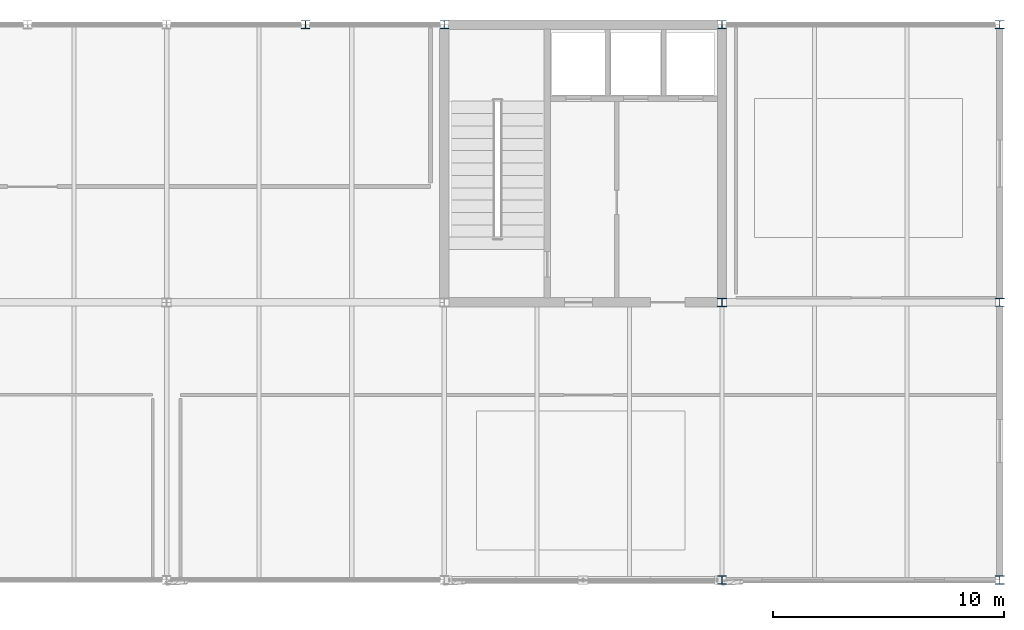
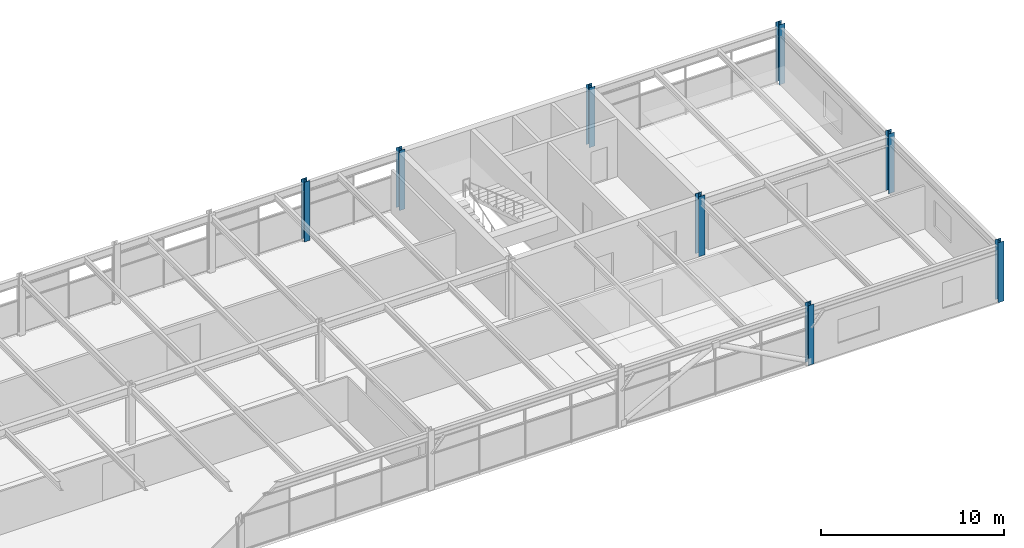
# One storey, part 3 of 40: 8 columns.
"""IFC4 building model written with IfcOpenShell, lengths in metres."""

from ifc_helpers import new_model, si_unit, direction, frame, origin, origin_2d, place, context, subcontext, project, spatial, i_section, extrude, material, material_profile, profile_set, type_object, element, save


model = new_model("IFC4")

# Units and contexts
model_context = context("Model", 3, precision=1e-05, world=origin(), true_north=direction((0.0, 1.0)))
body_context = subcontext(model_context, "Body", "Model", "MODEL_VIEW")
ifc_project = project(units=[si_unit("LENGTHUNIT", "METRE"), si_unit("AREAUNIT", "SQUARE_METRE"), si_unit("VOLUMEUNIT", "CUBIC_METRE"), si_unit("PLANEANGLEUNIT", "RADIAN"), si_unit("MASSUNIT", "GRAM", prefix="KILO")], contexts=[model_context])

# Site, building, storey
site_placement = place(None, origin())
site = spatial("IfcSite", under=ifc_project, at=site_placement, CompositionType="ELEMENT")
building_placement = place(site_placement, origin())
building = spatial("IfcBuilding", under=site, at=building_placement, Name="Girod Span Mobility Hub", CompositionType="ELEMENT")
storey_placement = place(building_placement, frame((0.0, 0.0, 57.60009765625)))
storey = spatial("IfcBuildingStorey", under=building, at=storey_placement, Name="L14", CompositionType="ELEMENT", Elevation=57.60009765625)

# Columns
ifc_material_1 = material(Name="Steel A992 Grade 50", Category="steel")
ifc_material_profile_1 = material_profile(ifc_material_1, i_section(OverallWidth=0.39404296875, OverallDepth=0.375, WebThickness=0.017333984375, FlangeThickness=0.027587890625, FilletRadius=0.01806640625, at=origin_2d()), Name="W14X145")
ifc_profile_set_1 = profile_set([ifc_material_profile_1], Name="Steel A992 Grade 50")
column_type_1 = type_object("IfcColumnType", Name="COL-STL-W14X145", PredefinedType="COLUMN", material=ifc_profile_set_1)
column_placement = place(storey_placement, frame((120.0, 57.0, 0.0), z_axis=(0.0, 0.0, 1.0), x_axis=(1.0, 0.0, 0.0)))
element("IfcColumn", 1, at=column_placement, inside=storey, type_object=column_type_1, Name="Column 11E L14", PredefinedType="COLUMN", context=body_context, shape_type="SweptSolid", body=[
    extrude(i_section(OverallWidth=0.39404296875, OverallDepth=0.375, WebThickness=0.017333984375, FlangeThickness=0.027587890625, FilletRadius=0.01806640625, at=origin_2d()), origin(), (0.0, 0.0, 1.0), 4.0),
])
ifc_material_2 = material(Name="Steel A992 Grade 50", Category="steel")
ifc_material_profile_2 = material_profile(ifc_material_2, i_section(OverallWidth=0.368896484375, OverallDepth=0.35595703125, WebThickness=0.01123046875, FlangeThickness=0.01806640625, FilletRadius=0.01806640625, at=origin_2d()), Name="W14X90")
ifc_profile_set_2 = profile_set([ifc_material_profile_2], Name="Steel A992 Grade 50")
column_type_2 = type_object("IfcColumnType", Name="COL-STL-W14X90", PredefinedType="COLUMN", material=ifc_profile_set_2)
for number, where, z_axis, x_axis, name in (
    (2, (108.0, 69.0, 0.0), (0.0, 0.0, 1.0), (1.0, 0.0, 0.0), "Column 10F L14"),
    (3, (120.0, 45.0, 0.0), (0.0, 0.0, 1.0), (1.0, 0.0, 0.0), "Column 11D L14"),
    (4, (120.0, 69.0, 0.0), (0.0, 0.0, 1.0), (1.0, 0.0, 0.0), "Column 11F L14"),
    (5, (132.0, 45.0, 0.0), (0.0, 0.0, 1.0), (1.0, 0.0, 0.0), "Column 12D L14"),
    (6, (132.0, 57.0, 0.0), (0.0, 0.0, 1.0), (1.0, 0.0, 0.0), "Column 12E L14"),
    (7, (132.0, 69.0, 0.0), (0.0, 0.0, 1.0), (1.0, 0.0, 0.0), "Column 12F L14"),
    (8, (102.0, 69.0, 0.0), (0.0, 0.0, 1.0), (1.0, 0.0, 0.0), "Facade Intermediate Column INT-4 L14"),
):
    element("IfcColumn", number, at=place(storey_placement, frame(where, z_axis=z_axis, x_axis=x_axis)), inside=storey, type_object=column_type_2, Name=name, PredefinedType="COLUMN", context=body_context, shape_type="SweptSolid", body=[
        extrude(i_section(OverallWidth=0.368896484375, OverallDepth=0.35595703125, WebThickness=0.01123046875, FlangeThickness=0.01806640625, FilletRadius=0.01806640625, at=origin_2d()), origin(), (0.0, 0.0, 1.0), 4.0),
    ])

save(model, "model.ifc")
